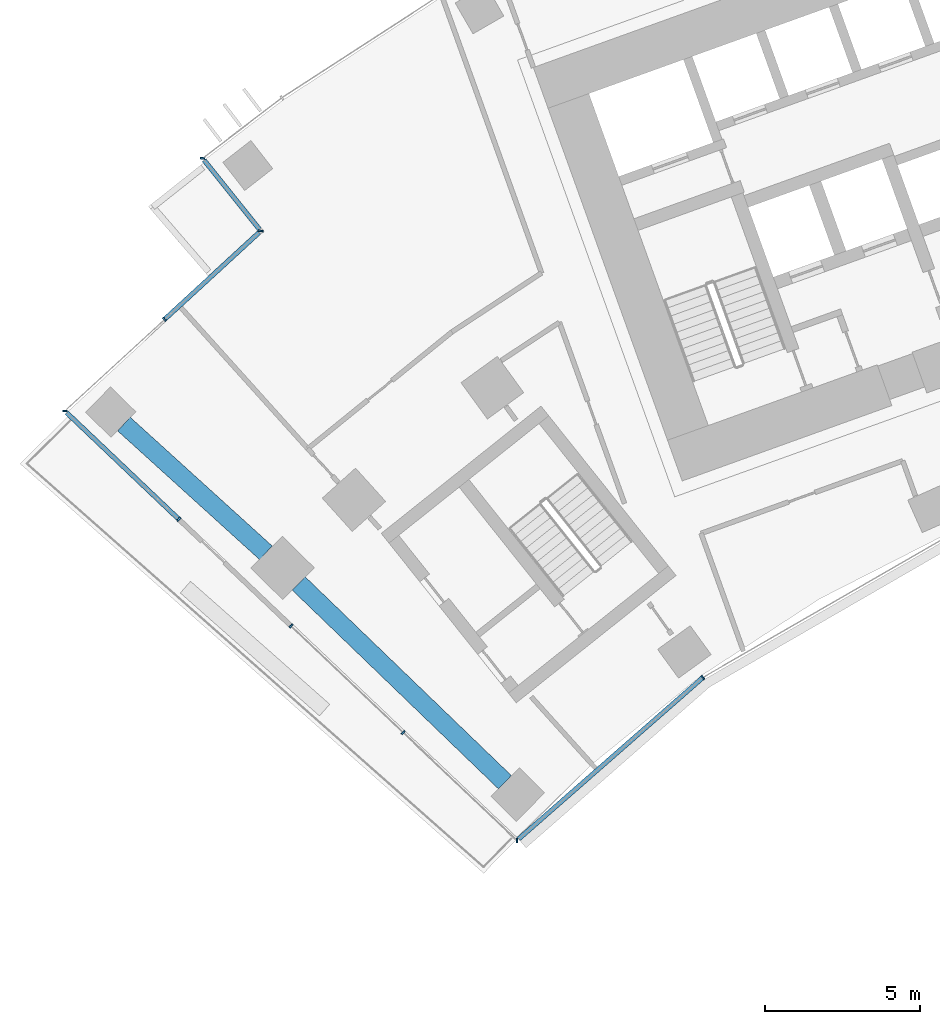
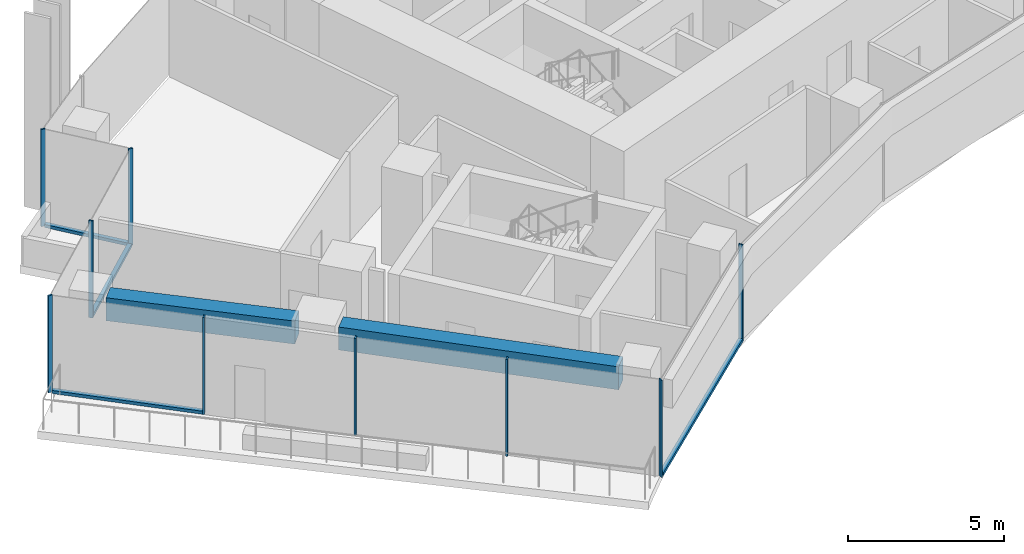
# One storey, part 2 of 20: 13 members, 2 beams, 4 elements without a shape of their own.
"""IFC4 building model written with IfcOpenShell, lengths in metres."""

import ifcopenshell
import ifcopenshell.guid

model = None  # the IFC model being written
_history = None  # IfcOwnerHistory: only IFC2X3 demands one
_inside = {}  # id of a spatial element -> (the spatial element, [elements in it])
_under = {}  # id of a project, library or spatial element -> (it, [spatial elements below it])
_declared = {}  # id of a project -> (the project, [libraries it declares])
_typed = {}  # id of a type object -> (the type object, [elements of that type])
_made_of = {}  # id of a material, layer set ... -> (it, [elements and type objects made of it])


def new_model(schema):
    """Start an empty IFC model of exactly this schema.

    Asked for "IFC4X3", IfcOpenShell would pick the latest addendum, in which some entities
    have other attributes; the version numbers below select the first issue.
    IFC2X3 requires an IfcOwnerHistory on every rooted entity: one is made here for all.
    """
    global model, _history
    if schema == "IFC4X3":
        model = ifcopenshell.file(schema_version=(4, 3, 0, 0))
    else:
        model = ifcopenshell.file(schema=schema)
    _inside.clear()
    _under.clear()
    _declared.clear()
    _typed.clear()
    _made_of.clear()
    _history = None
    if model.schema == "IFC2X3":
        org = make("IfcOrganization", Name="unknown")
        user = make(
            "IfcPersonAndOrganization",
            ThePerson=make("IfcPerson", FamilyName="unknown"),
            TheOrganization=org,
        )
        app = make(
            "IfcApplication",
            ApplicationDeveloper=org,
            Version="unknown",
            ApplicationFullName="unknown",
            ApplicationIdentifier="unknown",
        )
        _history = make(
            "IfcOwnerHistory",
            OwningUser=user,
            OwningApplication=app,
            ChangeAction="ADDED",
            CreationDate=0,
        )
    return model


def make(cls, **values):
    """One entity of the class cls with the attributes given. An attribute that is None is left unset."""
    return model.create_entity(
        cls, **{name: value for name, value in values.items() if value is not None}
    )


def rooted(cls, **values):
    """An entity with a GlobalId (a new one), such as an element, a storey or a relation."""
    return make(cls, GlobalId=ifcopenshell.guid.new(), OwnerHistory=_history, **values)


def si_unit(unit_type, name, prefix=None):
    """IfcSIUnit, for example si_unit("LENGTHUNIT", "METRE", prefix="MILLI")."""
    return make("IfcSIUnit", UnitType=unit_type, Prefix=prefix, Name=name)


def assignment(units):
    """IfcUnitAssignment: the units of a project."""
    return None if units is None else make("IfcUnitAssignment", Units=units)


def point(xyz):
    """IfcCartesianPoint."""
    return None if xyz is None else make("IfcCartesianPoint", Coordinates=xyz)


def direction(xyz):
    """IfcDirection."""
    return None if xyz is None else make("IfcDirection", DirectionRatios=xyz)


def frame(location, z_axis=None, x_axis=None):
    """IfcAxis2Placement3D, a coordinate frame: its origin and axes. An axis left out is left unset."""
    return make(
        "IfcAxis2Placement3D",
        Location=point(location),
        Axis=direction(z_axis),
        RefDirection=direction(x_axis),
    )


def frame_2d(location, x_axis=None):
    """IfcAxis2Placement2D, a coordinate frame in the plane: its origin and x axis."""
    return make(
        "IfcAxis2Placement2D", Location=point(location), RefDirection=direction(x_axis)
    )


def origin():
    """The frame at (0, 0, 0) with its axes left unset."""
    return frame((0.0, 0.0, 0.0))


def origin_2d():
    """The frame at (0, 0) in the plane with its x axis left unset."""
    return frame_2d((0.0, 0.0))


def place(relative_to, where):
    """IfcLocalPlacement: puts the frame where relative to a parent placement (None: the world)."""
    return make(
        "IfcLocalPlacement", PlacementRelTo=relative_to, RelativePlacement=where
    )


def context(
    kind, dimensions, precision=None, world=None, true_north=None, identifier=None
):
    """IfcGeometricRepresentationContext, for example the 3D "Model" context."""
    return make(
        "IfcGeometricRepresentationContext",
        ContextIdentifier=identifier,
        ContextType=kind,
        CoordinateSpaceDimension=dimensions,
        Precision=precision,
        WorldCoordinateSystem=world,
        TrueNorth=true_north,
    )


def subcontext(parent, identifier, kind, view, scale=None):
    """IfcGeometricRepresentationSubContext, for example "Body" below "Model"."""
    return make(
        "IfcGeometricRepresentationSubContext",
        ContextIdentifier=identifier,
        ContextType=kind,
        ParentContext=parent,
        TargetScale=scale,
        TargetView=view,
    )


def project(units=None, contexts=None):
    """IfcProject with its units and contexts."""
    return rooted(
        "IfcProject",
        Name="project",
        RepresentationContexts=contexts,
        UnitsInContext=assignment(units),
    )


def spatial(cls, under=None, at=None, **own):
    """A site, building, storey or space (cls), placed at a placement, below another one or the project."""
    s = rooted(cls, ObjectPlacement=at, **own)
    if under is not None:
        _under.setdefault(under.id(), (under, []))[1].append(s)
    return s


def profile(cls, at=None, kind="AREA", **sizes):
    """A parametric profile (cls). Its sizes go by their IFC names, for example OverallWidth=200.0."""
    return make(cls, ProfileType=kind, Position=at, **sizes)


def rectangle(**sizes):
    """IfcRectangleProfileDef."""
    return profile("IfcRectangleProfileDef", **sizes)


def extrude(swept, where, along, depth):
    """IfcExtrudedAreaSolid: the profile swept, set in the frame where, extruded along a direction by depth."""
    return make(
        "IfcExtrudedAreaSolid",
        SweptArea=swept,
        Position=where,
        ExtrudedDirection=direction(along),
        Depth=depth,
    )


def shape(context_of_items, identifier, shape_type, items):
    """IfcShapeRepresentation: the items that make up one representation, for example the "Body"."""
    return make(
        "IfcShapeRepresentation",
        ContextOfItems=context_of_items,
        RepresentationIdentifier=identifier,
        RepresentationType=shape_type,
        Items=items,
    )


def material(Name=None, Category=None):
    """IfcMaterial."""
    return make("IfcMaterial", Name=Name, Category=Category)


def layer(
    of_material, thickness, ventilated=None, Name=None, Category=None, Priority=None
):
    """IfcMaterialLayer: one layer of a wall or slab, of a material (None: an air gap)."""
    return make(
        "IfcMaterialLayer",
        Material=of_material,
        LayerThickness=thickness,
        IsVentilated=ventilated,
        Name=Name,
        Category=Category,
        Priority=Priority,
    )


def layer_set(layers, Name=None):
    """IfcMaterialLayerSet."""
    return make("IfcMaterialLayerSet", MaterialLayers=layers, LayerSetName=Name)


def material_profile(
    of_material, cross_section, Name=None, Category=None, Priority=None
):
    """IfcMaterialProfile: a cross section and its material."""
    return make(
        "IfcMaterialProfile",
        Name=Name,
        Material=of_material,
        Profile=cross_section,
        Priority=Priority,
        Category=Category,
    )


def profile_set(profiles, Name=None, composite=None):
    """IfcMaterialProfileSet."""
    return make(
        "IfcMaterialProfileSet",
        Name=Name,
        MaterialProfiles=profiles,
        CompositeProfile=composite,
    )


def made_of(thing, what):
    """Note that an element or type object is made of a material, layer set ...; save() writes the relation."""
    if what is not None:
        _made_of.setdefault(what.id(), (what, []))[1].append(thing)
    return thing


def type_object(cls, material=None, **own):
    """A type object (cls), such as IfcWallType, which elements share."""
    return made_of(rooted(cls, **own), material)


def element(
    cls,
    number,
    at=None,
    inside=None,
    cuts=None,
    type_object=None,
    material=None,
    context=None,
    identifier="Body",
    shape_type=None,
    held_by="IfcProductDefinitionShape",
    body=None,
    shapes=None,
    **own,
):
    """One element of the class cls, such as IfcWall. Its Tag is "e" and its number.

    at: its placement. inside: the storey or other place that contains it. cuts: it is an
    opening in that element (IfcRelVoidsElement). A single representation is given by context,
    identifier, shape_type and body (its items); several are given by shapes. held_by: the class
    of the entity that holds the representations. save() writes the other relations.
    """
    e = rooted(cls, Tag="e%d" % number, ObjectPlacement=at, **own)
    if body is not None:
        shapes = [shape(context, identifier, shape_type, body)]
    if shapes is not None:
        e.Representation = make(held_by, Representations=shapes)
    if inside is not None:
        _inside.setdefault(inside.id(), (inside, []))[1].append(e)
    if cuts is not None:
        rooted(
            "IfcRelVoidsElement", RelatingBuildingElement=cuts, RelatedOpeningElement=e
        )
    if type_object is not None:
        _typed.setdefault(type_object.id(), (type_object, []))[1].append(e)
    return made_of(e, material)


def aggregate(whole, parts):
    """IfcRelAggregates: a whole, such as a stair, and the parts it consists of."""
    return rooted("IfcRelAggregates", RelatingObject=whole, RelatedObjects=parts)


def save(model, path):
    """Write the relations noted so far, then the file.

    IfcRelAggregates (storeys below a building ...), IfcRelContainedInSpatialStructure (elements
    in a storey), IfcRelDefinesByType, IfcRelAssociatesMaterial and IfcRelDeclares: one each for
    every whole, place, type object, material and project.
    """
    for whole, parts in _under.values():
        aggregate(whole, parts)
    for where, things in _inside.values():
        rooted(
            "IfcRelContainedInSpatialStructure",
            RelatedElements=things,
            RelatingStructure=where,
        )
    for kind, things in _typed.values():
        rooted("IfcRelDefinesByType", RelatedObjects=things, RelatingType=kind)
    for what, things in _made_of.values():
        rooted("IfcRelAssociatesMaterial", RelatedObjects=things, RelatingMaterial=what)
    for by, libraries in _declared.values():
        rooted("IfcRelDeclares", RelatingContext=by, RelatedDefinitions=libraries)
    model.write(path)


model = new_model("IFC4")

# Units and contexts
model_context = context("Model", 3, precision=1e-05, world=origin(), true_north=direction((0.0, 1.0)))
body_context = subcontext(model_context, "Body", "Model", "MODEL_VIEW")
ifc_project = project(units=[si_unit("LENGTHUNIT", "METRE"), si_unit("AREAUNIT", "SQUARE_METRE"), si_unit("VOLUMEUNIT", "CUBIC_METRE"), si_unit("PLANEANGLEUNIT", "RADIAN"), si_unit("MASSUNIT", "GRAM", prefix="KILO")], contexts=[model_context])

# Site, building, storey
site_placement = place(None, origin())
site = spatial("IfcSite", under=ifc_project, at=site_placement, CompositionType="ELEMENT")
building_placement = place(site_placement, origin())
building = spatial("IfcBuilding", under=site, at=building_placement, Name="Stone Belt Terrace Tower", CompositionType="ELEMENT")
storey_placement = place(building_placement, frame((0.0, 0.0, 125.0)))
storey = spatial("IfcBuildingStorey", under=building, at=storey_placement, Name="L30", CompositionType="ELEMENT", Elevation=125.0)

# Curtain wall, members
ifc_material_1 = material(Name="Aluminium 6063-T6 anodised frame", Category="aluminium")
ifc_layer_1 = layer(ifc_material_1, 0.14990234375)
ifc_layer_set_1 = layer_set([ifc_layer_1], Name="CW-B unitised concave-face curtain wall")
curtain_wall_type_1 = type_object("IfcCurtainWallType", Name="CW-B unitised concave-face curtain wall", PredefinedType="NOTDEFINED", material=ifc_layer_set_1)
curtain_wall_1_placement = place(storey_placement, origin())
curtain_wall_1 = element("IfcCurtainWall", 1, at=curtain_wall_1_placement, inside=storey, type_object=curtain_wall_type_1, Name="CW-B concave face L30", PredefinedType="NOTDEFINED")
ifc_material_profile_1 = material_profile(ifc_material_1, rectangle(XDim=0.14990234375, YDim=0.050048828125, at=origin_2d()), Name="Aluminium 6063-T6 50x150")
ifc_profile_set_1 = profile_set([ifc_material_profile_1], Name="Aluminium 6063-T6 anodised frame")
member_type_1 = type_object("IfcMemberType", Name="CW-B mullion 50 x 150", PredefinedType="MULLION", material=ifc_profile_set_1)
member_1_placement = place(storey_placement, frame((-31.535888671875, 29.863037109375, 0.0), z_axis=(0.0, 0.0, 1.0), x_axis=(0.020135351708, 0.999797263255, 0.0)))
member_1 = element("IfcMember", 2, at=member_1_placement, type_object=member_type_1, Name="CW-B mullion 1", PredefinedType="MULLION", context=body_context, shape_type="SweptSolid", body=[
    extrude(rectangle(XDim=0.14990234375, YDim=0.050048828125, at=origin_2d()), origin(), (0.0, 0.0, 1.0), 3.800048828125),
])
member_2_placement = place(storey_placement, frame((-25.524658203125, 35.130859375, 0.0), z_axis=(0.0, 0.0, 1.0), x_axis=(-0.582341737817, 0.812944094263, 0.0)))
member_2 = element("IfcMember", 3, at=member_2_placement, type_object=member_type_1, Name="CW-B mullion 2", PredefinedType="MULLION", context=body_context, shape_type="SweptSolid", body=[
    extrude(rectangle(XDim=0.14990234375, YDim=0.050048828125, at=origin_2d()), origin(), (0.0, 0.0, 1.0), 3.800048828125),
])
ifc_material_profile_2 = material_profile(ifc_material_1, rectangle(XDim=0.14990234375, YDim=0.1201171875, at=origin_2d()), Name="Aluminium 6063-T6 150x120")
ifc_profile_set_2 = profile_set([ifc_material_profile_2], Name="Aluminium 6063-T6 anodised frame")
member_type_2 = type_object("IfcMemberType", Name="CW-B transom 120 x 150", PredefinedType="USERDEFINED", material=ifc_profile_set_2)
member_3_placement = place(storey_placement, frame((-31.48388671875, 29.908447265625, 0.06005859375), z_axis=(0.752060929485, 0.659093588455, 0.0), x_axis=(-0.659093588455, 0.752060929485, 0.0)))
member_3 = element("IfcMember", 4, at=member_3_placement, type_object=member_type_2, Name="CW-B transom 1.1", ObjectType="TRANSOM", PredefinedType="USERDEFINED", context=body_context, shape_type="SweptSolid", body=[
    extrude(rectangle(XDim=0.14990234375, YDim=0.1201171875, at=origin_2d()), origin(), (0.0, 0.0, 1.0), 7.891357421875),
])
aggregate(curtain_wall_1, [member_1, member_2, member_3])

# Curtain wall, member
ifc_layer_2 = layer(ifc_material_1, 0.14990234375)
ifc_layer_set_2 = layer_set([ifc_layer_2], Name="CW-C stick curtain wall, horn ends and notches")
curtain_wall_type_2 = type_object("IfcCurtainWallType", Name="CW-C stick curtain wall, horn ends and notches", PredefinedType="NOTDEFINED", material=ifc_layer_set_2)
curtain_wall_2_placement = place(storey_placement, origin())
curtain_wall_2 = element("IfcCurtainWall", 5, at=curtain_wall_2_placement, inside=storey, type_object=curtain_wall_type_2, Name="CW-C notch face L30", PredefinedType="NOTDEFINED")
ifc_material_profile_3 = material_profile(ifc_material_1, rectangle(XDim=0.14990234375, YDim=0.06005859375, at=origin_2d()), Name="Aluminium 6063-T6 60x150")
ifc_profile_set_3 = profile_set([ifc_material_profile_3], Name="Aluminium 6063-T6 anodised frame")
member_type_3 = type_object("IfcMemberType", Name="CW-C mullion 60 x 150", PredefinedType="MULLION", material=ifc_profile_set_3)
member_4_placement = place(storey_placement, frame((-41.69189453125, 51.90625, 0.0), z_axis=(0.0, 0.0, 1.0), x_axis=(0.992610915528, -0.121340720183, 0.0)))
member_4 = element("IfcMember", 6, at=member_4_placement, type_object=member_type_3, Name="CW-C mullion 1", PredefinedType="MULLION", context=body_context, shape_type="SweptSolid", body=[
    extrude(rectangle(XDim=0.14990234375, YDim=0.06005859375, at=origin_2d()), origin(), (0.0, 0.0, 1.0), 3.800048828125),
])

# Curtain wall, members
curtain_wall_3_placement = place(storey_placement, origin())
curtain_wall_3 = element("IfcCurtainWall", 7, at=curtain_wall_3_placement, inside=storey, type_object=curtain_wall_type_2, Name="CW-C notch face L30", PredefinedType="NOTDEFINED")
member_5_placement = place(storey_placement, frame((-39.8115234375, 49.56005859375, 0.0), z_axis=(0.0, 0.0, 1.0), x_axis=(0.99711393405, -0.07591971103, 0.0)))
member_5 = element("IfcMember", 8, at=member_5_placement, type_object=member_type_3, Name="CW-C mullion 1", PredefinedType="MULLION", context=body_context, shape_type="SweptSolid", body=[
    extrude(rectangle(XDim=0.14990234375, YDim=0.06005859375, at=origin_2d()), origin(), (0.0, 0.0, 1.0), 3.800048828125),
])
member_6_placement = place(storey_placement, frame((-42.92138671875, 46.701904296875, 0.0), z_axis=(0.0, 0.0, 1.0), x_axis=(0.676676945985, -0.736280049148, 0.0)))
member_6 = element("IfcMember", 9, at=member_6_placement, type_object=member_type_3, Name="CW-C mullion 2", PredefinedType="MULLION", context=body_context, shape_type="SweptSolid", body=[
    extrude(rectangle(XDim=0.14990234375, YDim=0.06005859375, at=origin_2d()), origin(), (0.0, 0.0, 1.0), 3.800048828125),
])

curtain_wall_4_placement = place(storey_placement, origin())
curtain_wall_4 = element("IfcCurtainWall", 10, at=curtain_wall_4_placement, inside=storey, type_object=curtain_wall_type_2, Name="CW-C end face L30", PredefinedType="NOTDEFINED")
member_7_placement = place(storey_placement, frame((-46.141845703125, 43.7421875, 0.0), z_axis=(0.0, 0.0, 1.0), x_axis=(0.999965358551, -0.008323562836, 0.0)))
member_7 = element("IfcMember", 11, at=member_7_placement, type_object=member_type_3, Name="CW-C mullion 1", PredefinedType="MULLION", context=body_context, shape_type="SweptSolid", body=[
    extrude(rectangle(XDim=0.14990234375, YDim=0.06005859375, at=origin_2d()), origin(), (0.0, 0.0, 1.0), 3.800048828125),
])
member_8_placement = place(storey_placement, frame((-42.459228515625, 40.24267578125, 0.0), z_axis=(0.0, 0.0, 1.0), x_axis=(0.688839705238, 0.72491369175, 0.0)))
member_8 = element("IfcMember", 12, at=member_8_placement, type_object=member_type_3, Name="CW-C mullion 2", PredefinedType="MULLION", context=body_context, shape_type="SweptSolid", body=[
    extrude(rectangle(XDim=0.14990234375, YDim=0.06005859375, at=origin_2d()), origin(), (0.0, 0.0, 1.0), 3.800048828125),
])
member_9_placement = place(storey_placement, frame((-38.83447265625, 36.798583984375, 0.0), z_axis=(0.0, 0.0, 1.0), x_axis=(0.688839705238, 0.72491369175, 0.0)))
member_9 = element("IfcMember", 13, at=member_9_placement, type_object=member_type_3, Name="CW-C mullion 3", PredefinedType="MULLION", context=body_context, shape_type="SweptSolid", body=[
    extrude(rectangle(XDim=0.14990234375, YDim=0.06005859375, at=origin_2d()), origin(), (0.0, 0.0, 1.0), 3.800048828125),
])
member_10_placement = place(storey_placement, frame((-35.2099609375, 33.354248046875, 0.0), z_axis=(0.0, 0.0, 1.0), x_axis=(0.688839705238, 0.72491369175, 0.0)))
member_10 = element("IfcMember", 14, at=member_10_placement, type_object=member_type_3, Name="CW-C mullion 4", PredefinedType="MULLION", context=body_context, shape_type="SweptSolid", body=[
    extrude(rectangle(XDim=0.14990234375, YDim=0.06005859375, at=origin_2d()), origin(), (0.0, 0.0, 1.0), 3.800048828125),
])

# Member
ifc_material_profile_4 = material_profile(ifc_material_1, rectangle(XDim=0.14990234375, YDim=0.1201171875, at=origin_2d()), Name="Aluminium 6063-T6 150x120")
ifc_profile_set_4 = profile_set([ifc_material_profile_4], Name="Aluminium 6063-T6 anodised frame")
member_type_4 = type_object("IfcMemberType", Name="CW-C transom 120 x 150", PredefinedType="USERDEFINED", material=ifc_profile_set_4)
member_11_placement = place(storey_placement, frame((-41.645263671875, 51.84814453125, 0.06005859375), z_axis=(0.625350914086, -0.780343664197, 0.0), x_axis=(0.780343664197, 0.625350914086, 0.0)))
member_11 = element("IfcMember", 15, at=member_11_placement, type_object=member_type_4, Name="CW-C transom 1.1", ObjectType="TRANSOM", PredefinedType="USERDEFINED", context=body_context, shape_type="SweptSolid", body=[
    extrude(rectangle(XDim=0.14990234375, YDim=0.1201171875, at=origin_2d()), origin(), (0.0, 0.0, 1.0), 2.85888671875),
])

aggregate(curtain_wall_2, [member_4, member_11])

member_12_placement = place(storey_placement, frame((-39.865478515625, 49.510498046875, 0.06005859375), z_axis=(-0.736309968185, -0.676644390172, 0.0), x_axis=(0.676644390172, -0.736309968185, 0.0)))
member_12 = element("IfcMember", 16, at=member_12_placement, type_object=member_type_4, Name="CW-C transom 1.1", ObjectType="TRANSOM", PredefinedType="USERDEFINED", context=body_context, shape_type="SweptSolid", body=[
    extrude(rectangle(XDim=0.14990234375, YDim=0.1201171875, at=origin_2d()), origin(), (0.0, 0.0, 1.0), 4.120361328125),
])

aggregate(curtain_wall_3, [member_5, member_6, member_12])

member_13_placement = place(storey_placement, frame((-46.08740234375, 43.6904296875, 0.06005859375), z_axis=(0.72491121173, -0.688842315126, 0.0), x_axis=(0.688842315126, 0.72491121173, 0.0)))
member_13 = element("IfcMember", 17, at=member_13_placement, type_object=member_type_4, Name="CW-C transom 1.1", ObjectType="TRANSOM", PredefinedType="USERDEFINED", context=body_context, shape_type="SweptSolid", body=[
    extrude(rectangle(XDim=0.14990234375, YDim=0.1201171875, at=origin_2d()), origin(), (0.0, 0.0, 1.0), 4.97509765625),
])

aggregate(curtain_wall_4, [member_7, member_8, member_9, member_10, member_13])

# Beams
ifc_material_2 = material(Name="Concrete B60", Category="concrete")
ifc_material_profile_5 = material_profile(ifc_material_2, rectangle(XDim=0.60009765625, YDim=0.89990234375, at=origin_2d()), Name="RC 600x900")
ifc_profile_set_5 = profile_set([ifc_material_profile_5], Name="Concrete B60")
beam_type = type_object("IfcBeamType", Name="Edge beam RC 600x900 B60", PredefinedType="SPANDREL", material=ifc_profile_set_5)
beam_1_placement = place(storey_placement, frame((-31.921875, 31.745849609375, 3.030029296875), z_axis=(-0.720003843897, 0.69397007484, 0.0), x_axis=(-0.69397007484, -0.720003843897, 0.0)))
element("IfcBeam", 18, at=beam_1_placement, inside=storey, type_object=beam_type, Name="Edge beam L30 A P to Q", PredefinedType="SPANDREL", context=body_context, shape_type="SweptSolid", body=[
    extrude(rectangle(XDim=0.60009765625, YDim=0.89990234375, at=origin_2d()), origin(), (0.0, 0.0, 1.0), 9.255859375),
])
beam_2_placement = place(storey_placement, frame((-39.645751953125, 39.159912109375, 3.030029296875), z_axis=(-0.740792015058, 0.671734464224, 0.0), x_axis=(-0.671734464224, -0.740792015058, 0.0)))
element("IfcBeam", 19, at=beam_2_placement, inside=storey, type_object=beam_type, Name="Edge beam L30 A Q to R", PredefinedType="SPANDREL", context=body_context, shape_type="SweptSolid", body=[
    extrude(rectangle(XDim=0.60009765625, YDim=0.89990234375, at=origin_2d()), origin(), (0.0, 0.0, 1.0), 6.19384765625),
])

save(model, "model.ifc")
